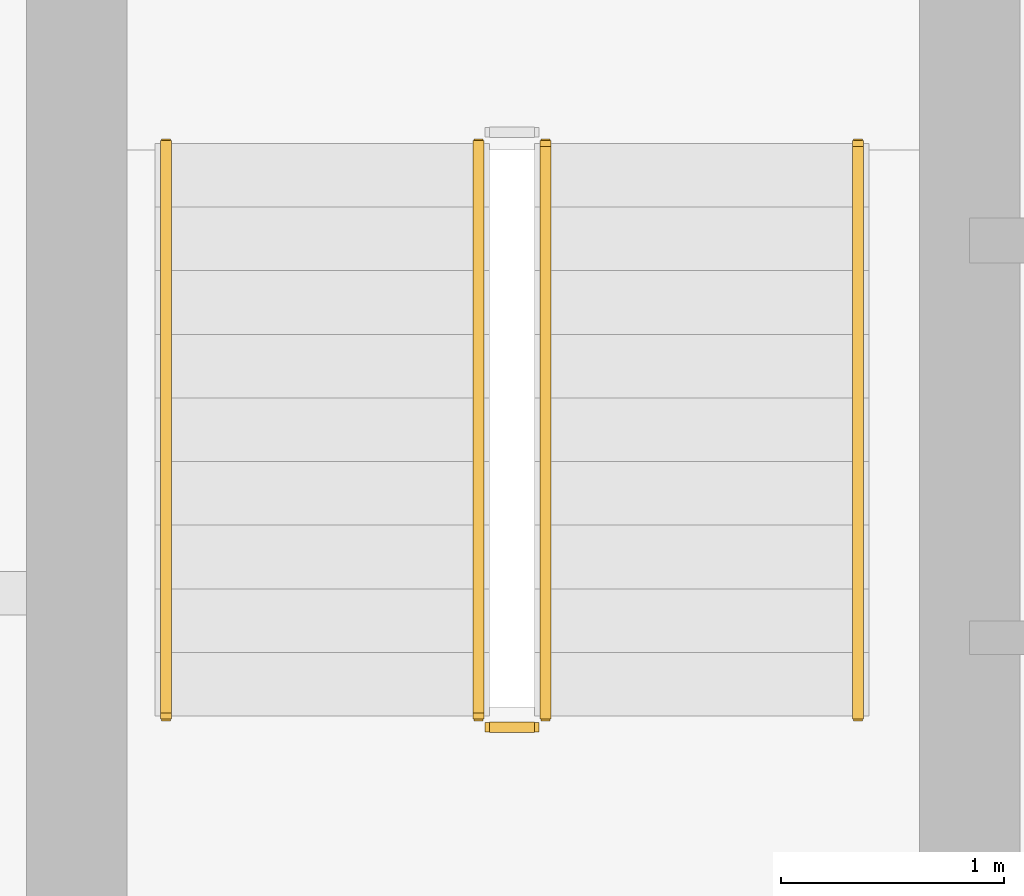
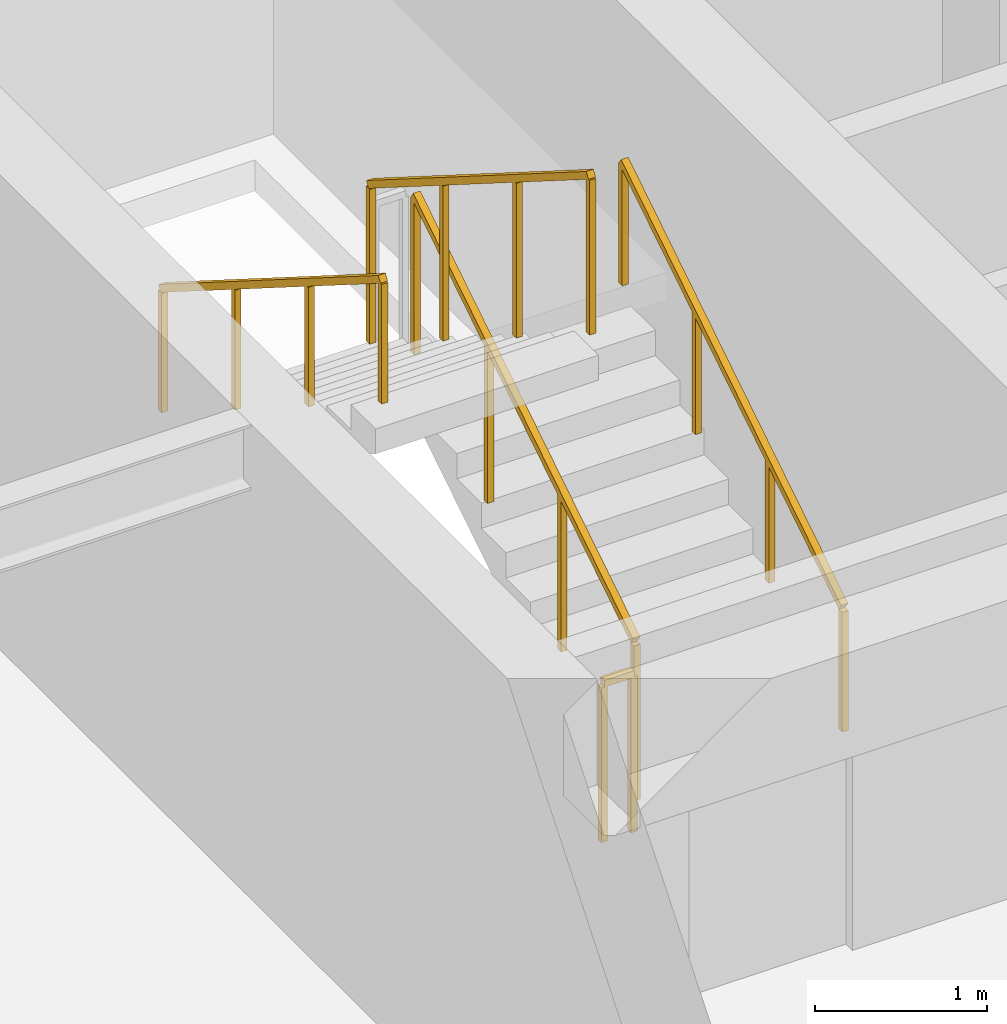
# One storey, part 25 of 27: 5 railings.
"""IFC4 building model written with IfcOpenShell, lengths in metres."""

from ifc_helpers import new_model, si_unit, direction, frame, origin, origin_2d, place, context, subcontext, project, spatial, rectangle, extrude, material, type_object, element, save


model = new_model("IFC4")

# Units and contexts
model_context = context("Model", 3, precision=1e-05, world=origin(), true_north=direction((0.0, 1.0)))
body_context = subcontext(model_context, "Body", "Model", "MODEL_VIEW")
ifc_project = project(units=[si_unit("LENGTHUNIT", "METRE"), si_unit("AREAUNIT", "SQUARE_METRE"), si_unit("VOLUMEUNIT", "CUBIC_METRE"), si_unit("PLANEANGLEUNIT", "RADIAN"), si_unit("MASSUNIT", "GRAM", prefix="KILO")], contexts=[model_context])

# Site, building, storey
site_placement = place(None, origin())
site = spatial("IfcSite", under=ifc_project, at=site_placement, CompositionType="ELEMENT")
building_placement = place(site_placement, origin())
building = spatial("IfcBuilding", under=site, at=building_placement, Name="Sarneth Arch Tower", CompositionType="ELEMENT")
storey_placement = place(building_placement, frame((0.0, 0.0, 157.800048828125)))
storey = spatial("IfcBuildingStorey", under=building, at=storey_placement, Name="L39", CompositionType="ELEMENT", Elevation=157.800048828125)

# Railings
ifc_material_1 = material(Name="Brushed Stainless Steel 304 tubular handrail", Category="steel")
railing_type_1 = type_object("IfcRailingType", Name="RAIL-HANDRAIL-900", PredefinedType="HANDRAIL", material=ifc_material_1)
railing_1_placement = place(storey_placement, frame((40.5, 41.449951171875, 0.179931640625)))
element("IfcRailing", 1, at=railing_1_placement, inside=storey, type_object=railing_type_1, Name="L39 ST-1 stair handrail 1", PredefinedType="HANDRAIL", context=body_context, shape_type="SweptSolid", body=[
    extrude(rectangle(XDim=0.048095703125, YDim=0.048095703125, at=origin_2d()), frame((0.0, 0.0, 0.8759765625), z_axis=(0.0, 0.845465955043, 0.534029323973), x_axis=(-1.0, 0.0, 0.0)), (0.0, 0.0, 1.0), 3.03369140625),
    extrude(rectangle(XDim=0.0419921875, YDim=0.0419921875, at=origin_2d()), origin(), (0.0, 0.0, 1.0), 0.851806640625),
    extrude(rectangle(XDim=0.0419921875, YDim=0.0419921875, at=origin_2d()), frame((0.0, 0.85498046875, 0.5400390625)), (0.0, 0.0, 1.0), 0.851806640625),
    extrude(rectangle(XDim=0.0419921875, YDim=0.0419921875, at=origin_2d()), frame((0.0, 1.7099609375, 1.080078125)), (0.0, 0.0, 1.0), 0.851806640625),
    extrude(rectangle(XDim=0.0419921875, YDim=0.0419921875, at=origin_2d()), frame((0.0, 2.56494140625, 1.6201171875)), (0.0, 0.0, 1.0), 0.851806640625),
])
railing_2_placement = place(storey_placement, frame((37.39990234375, 44.014892578125, 1.97998046875)))
element("IfcRailing", 2, at=railing_2_placement, inside=storey, type_object=railing_type_1, Name="L39 ST-1 stair handrail 2", PredefinedType="HANDRAIL", context=body_context, shape_type="SweptSolid", body=[
    extrude(rectangle(XDim=0.048095703125, YDim=0.048095703125, at=origin_2d()), frame((0.0, 0.0, 0.8759765625), z_axis=(0.0, -0.845502289212, 0.533971796014), x_axis=(1.0, 0.0, 0.0)), (0.0, 0.0, 1.0), 3.03369140625),
    extrude(rectangle(XDim=0.0419921875, YDim=0.0419921875, at=origin_2d()), origin(), (0.0, 0.0, 1.0), 0.851806640625),
    extrude(rectangle(XDim=0.0419921875, YDim=0.0419921875, at=origin_2d()), frame((0.0, -0.85498046875, 0.5400390625)), (0.0, 0.0, 1.0), 0.851806640625),
    extrude(rectangle(XDim=0.0419921875, YDim=0.0419921875, at=origin_2d()), frame((0.0, -1.7099609375, 1.079833984375)), (0.0, 0.0, 1.0), 0.851806640625),
    extrude(rectangle(XDim=0.0419921875, YDim=0.0419921875, at=origin_2d()), frame((0.0, -2.56494140625, 1.619873046875)), (0.0, 0.0, 1.0), 0.851806640625),
])
ifc_material_2 = material(Name="Painted Steel S275 stair well guard", Category="steel")
railing_type_2 = type_object("IfcRailingType", Name="RAIL-STAIR-GUARD", PredefinedType="GUARDRAIL", material=ifc_material_2)
railing_3_placement = place(storey_placement, frame((39.10009765625, 41.449951171875, 0.179931640625)))
element("IfcRailing", 3, at=railing_3_placement, inside=storey, type_object=railing_type_2, Name="L39 ST-1 stair guard 1", PredefinedType="GUARDRAIL", context=body_context, shape_type="SweptSolid", body=[
    extrude(rectangle(XDim=0.048095703125, YDim=0.048095703125, at=origin_2d()), frame((0.0, 0.0, 1.1259765625), z_axis=(0.0, 0.845465955043, 0.534029323973), x_axis=(-1.0, 0.0, 0.0)), (0.0, 0.0, 1.0), 3.03369140625),
    extrude(rectangle(XDim=0.0419921875, YDim=0.0419921875, at=origin_2d()), origin(), (0.0, 0.0, 1.0), 1.101806640625),
    extrude(rectangle(XDim=0.0419921875, YDim=0.0419921875, at=origin_2d()), frame((0.0, 0.85498046875, 0.5400390625)), (0.0, 0.0, 1.0), 1.101806640625),
    extrude(rectangle(XDim=0.0419921875, YDim=0.0419921875, at=origin_2d()), frame((0.0, 1.7099609375, 1.080078125)), (0.0, 0.0, 1.0), 1.101806640625),
    extrude(rectangle(XDim=0.0419921875, YDim=0.0419921875, at=origin_2d()), frame((0.0, 2.56494140625, 1.6201171875)), (0.0, 0.0, 1.0), 1.101806640625),
])
railing_4_placement = place(storey_placement, frame((38.800048828125, 44.014892578125, 1.97998046875)))
element("IfcRailing", 4, at=railing_4_placement, inside=storey, type_object=railing_type_2, Name="L39 ST-1 stair guard 3", PredefinedType="GUARDRAIL", context=body_context, shape_type="SweptSolid", body=[
    extrude(rectangle(XDim=0.048095703125, YDim=0.048095703125, at=origin_2d()), frame((0.0, 0.0, 1.1259765625), z_axis=(0.0, -0.845502289212, 0.533971796014), x_axis=(1.0, 0.0, 0.0)), (0.0, 0.0, 1.0), 3.03369140625),
    extrude(rectangle(XDim=0.0419921875, YDim=0.0419921875, at=origin_2d()), origin(), (0.0, 0.0, 1.0), 1.101806640625),
    extrude(rectangle(XDim=0.0419921875, YDim=0.0419921875, at=origin_2d()), frame((0.0, -0.85498046875, 0.5400390625)), (0.0, 0.0, 1.0), 1.101806640625),
    extrude(rectangle(XDim=0.0419921875, YDim=0.0419921875, at=origin_2d()), frame((0.0, -1.7099609375, 1.079833984375)), (0.0, 0.0, 1.0), 1.101806640625),
    extrude(rectangle(XDim=0.0419921875, YDim=0.0419921875, at=origin_2d()), frame((0.0, -2.56494140625, 1.619873046875)), (0.0, 0.0, 1.0), 1.101806640625),
])
railing_5_placement = place(storey_placement, frame((39.050048828125, 41.39990234375, 0.0)))
element("IfcRailing", 5, at=railing_5_placement, inside=storey, type_object=railing_type_2, Name="L39 ST-1 stair guard 4", PredefinedType="GUARDRAIL", context=body_context, shape_type="SweptSolid", body=[
    extrude(rectangle(XDim=0.048095703125, YDim=0.048095703125, at=origin_2d()), frame((0.0, 0.0, 1.1259765625), z_axis=(-1.0, 0.0, 0.0), x_axis=(0.0, -1.0, 0.0)), (0.0, 0.0, 1.0), 0.199951171875),
    extrude(rectangle(XDim=0.0419921875, YDim=0.0419921875, at=origin_2d()), origin(), (0.0, 0.0, 1.0), 1.101806640625),
    extrude(rectangle(XDim=0.0419921875, YDim=0.0419921875, at=origin_2d()), frame((-0.199951171875, 0.0, 0.0)), (0.0, 0.0, 1.0), 1.101806640625),
])

save(model, "model.ifc")
